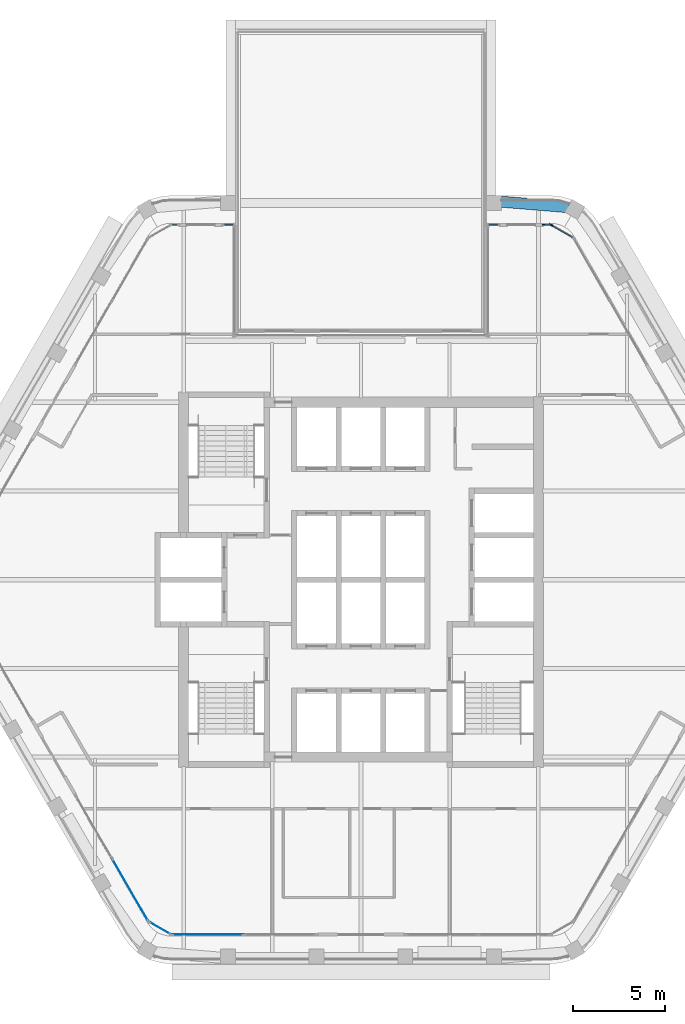
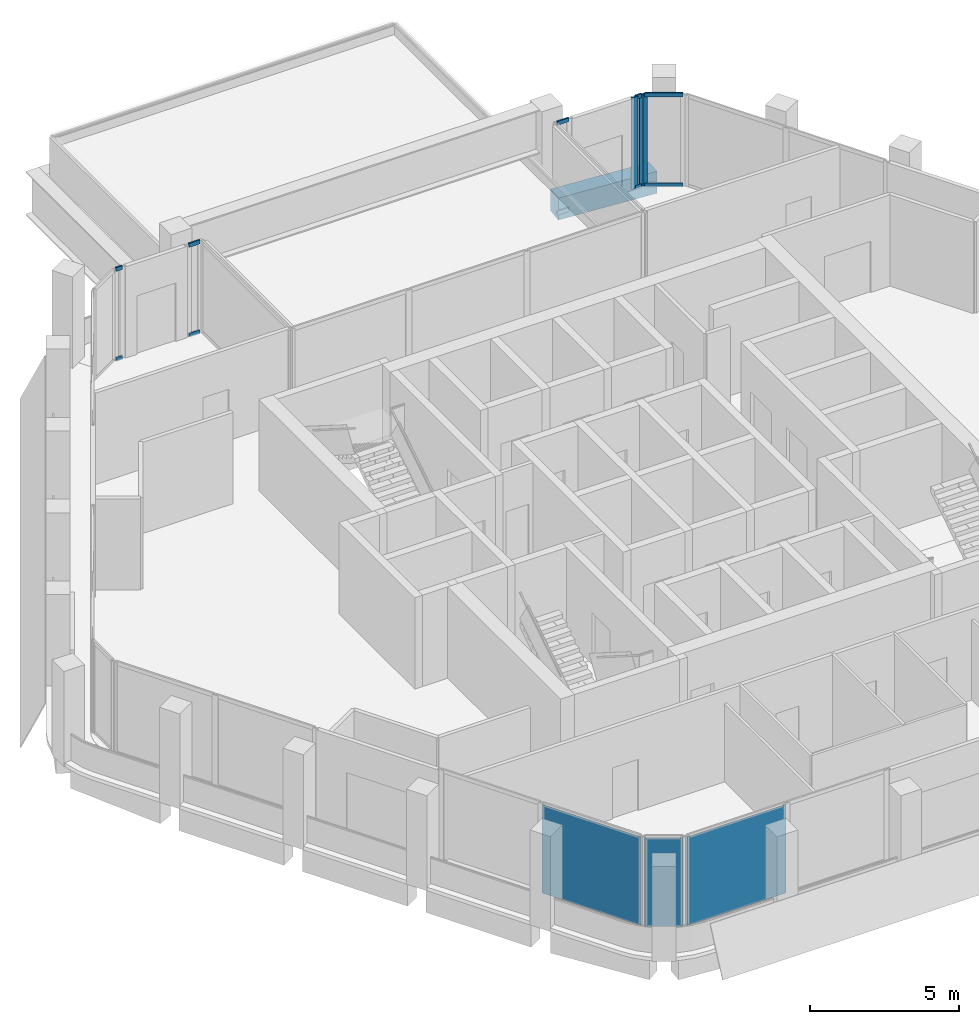
# One storey, part 6 of 16: 13 members, 3 plates, 1 beam, 8 elements without a shape of their own.
"""IFC4 building model written with IfcOpenShell, lengths in metres."""

from ifc_helpers import new_model, si_unit, direction, frame, origin, origin_2d, place, context, subcontext, project, spatial, rectangle, extrude, material, layer, layer_set, material_profile, profile_set, type_object, element, aggregate, save


model = new_model("IFC4")

# Units and contexts
model_context = context("Model", 3, precision=1e-05, world=origin(), true_north=direction((0.0, 1.0)))
body_context = subcontext(model_context, "Body", "Model", "MODEL_VIEW")
ifc_project = project(units=[si_unit("LENGTHUNIT", "METRE"), si_unit("AREAUNIT", "SQUARE_METRE"), si_unit("VOLUMEUNIT", "CUBIC_METRE"), si_unit("PLANEANGLEUNIT", "RADIAN"), si_unit("MASSUNIT", "GRAM", prefix="KILO")], contexts=[model_context])

# Site, building, storey
site_placement = place(None, origin())
site = spatial("IfcSite", under=ifc_project, at=site_placement, CompositionType="ELEMENT")
building_placement = place(site_placement, origin())
building = spatial("IfcBuilding", under=site, at=building_placement, Name="Kolab Exchange Tower", CompositionType="ELEMENT")
storey_placement = place(building_placement, frame((0.0, 0.0, 269.60009765625)))
storey = spatial("IfcBuildingStorey", under=building, at=storey_placement, Name="L60", CompositionType="ELEMENT", Elevation=269.60009765625)

# Beam
ifc_material_1 = material(Name="Concrete C50/60", Category="concrete")
ifc_material_profile_1 = material_profile(ifc_material_1, rectangle(XDim=0.60009765625, YDim=0.89990234375, at=origin_2d()), Name="RC600X900")
ifc_profile_set_1 = profile_set([ifc_material_profile_1], Name="Concrete C50/60")
beam_type = type_object("IfcBeamType", Name="SPANDREL BEAM 600X900 C50/60", PredefinedType="BEAM", material=ifc_profile_set_1)
beam_placement = place(storey_placement, frame((7.56005859375, 20.455078125, -0.60009765625), z_axis=(0.996666751878, -0.081580547323, 0.0), x_axis=(0.081580547323, 0.996666751878, 0.0)))
element("IfcBeam", 1, at=beam_placement, inside=storey, type_object=beam_type, Name="beam/L60/sp/F1-05", PredefinedType="BEAM", context=body_context, shape_type="SweptSolid", body=[
    extrude(rectangle(XDim=0.60009765625, YDim=0.89990234375, at=origin_2d()), origin(), (0.0, 0.0, 1.0), 3.6689453125),
])

# Curtain wall, members
ifc_material_2 = material(Name="Aluminium EN AW-6063 T6", Category="aluminium")
curtain_wall_type = type_object("IfcCurtainWallType", Name="UNITISED HIGH ZONE CURTAIN WALL", PredefinedType="NOTDEFINED", material=ifc_material_2)
curtain_wall_1_placement = place(storey_placement, origin())
curtain_wall_1 = element("IfcCurtainWall", 2, at=curtain_wall_1_placement, inside=storey, type_object=curtain_wall_type, Name="cw/L60/F1-r-2", PredefinedType="NOTDEFINED")
ifc_material_profile_2 = material_profile(ifc_material_2, rectangle(XDim=0.06005859375, YDim=0.239990234375, at=origin_2d()), Name="RECT 60X240")
ifc_profile_set_2 = profile_set([ifc_material_profile_2], Name="Aluminium EN AW-6063 T6")
member_type_1 = type_object("IfcMemberType", Name="UNITISED HIGH ZONE MULLION 60 X 240", PredefinedType="MULLION", material=ifc_profile_set_2)
member_1_placement = place(storey_placement, frame((9.93994140625, 19.20458984375, 0.0), z_axis=(0.0, 0.0, 1.0), x_axis=(0.0, 1.0, 0.0)))
member_1 = element("IfcMember", 3, at=member_1_placement, type_object=member_type_1, Name="CW4 mullion 1", PredefinedType="MULLION", context=body_context, shape_type="SweptSolid", body=[
    extrude(rectangle(XDim=0.06005859375, YDim=0.239990234375, at=origin_2d()), origin(), (0.0, 0.0, 1.0), 3.75),
])
member_2_placement = place(storey_placement, frame((10.238037109375, 19.20458984375, 0.0), z_axis=(0.0, 0.0, 1.0), x_axis=(0.0, 1.0, 0.0)))
member_2 = element("IfcMember", 4, at=member_2_placement, type_object=member_type_1, Name="CW4 mullion 2", PredefinedType="MULLION", context=body_context, shape_type="SweptSolid", body=[
    extrude(rectangle(XDim=0.06005859375, YDim=0.239990234375, at=origin_2d()), origin(), (0.0, 0.0, 1.0), 3.75),
])

# Curtain wall, member
curtain_wall_2_placement = place(storey_placement, origin())
curtain_wall_2 = element("IfcCurtainWall", 5, at=curtain_wall_2_placement, inside=storey, type_object=curtain_wall_type, Name="cw/L60/F1F2-corner", PredefinedType="NOTDEFINED")
member_3_placement = place(storey_placement, frame((10.2939453125, 19.189697265625, 0.0), z_axis=(0.0, 0.0, 1.0), x_axis=(0.50000002237, 0.866025390869, 0.0)))
member_3 = element("IfcMember", 6, at=member_3_placement, type_object=member_type_1, Name="CW4 mullion 1", PredefinedType="MULLION", context=body_context, shape_type="SweptSolid", body=[
    extrude(rectangle(XDim=0.06005859375, YDim=0.239990234375, at=origin_2d()), origin(), (0.0, 0.0, 1.0), 3.75),
])

# Curtain wall, members
curtain_wall_3_placement = place(storey_placement, origin())
curtain_wall_3 = element("IfcCurtainWall", 7, at=curtain_wall_3_placement, inside=storey, type_object=curtain_wall_type, Name="cw/L60/F1-l-1", PredefinedType="NOTDEFINED")
ifc_material_profile_3 = material_profile(ifc_material_2, rectangle(XDim=0.06005859375, YDim=0.159912109375, at=origin_2d()), Name="RECT 60X160")
ifc_profile_set_3 = profile_set([ifc_material_profile_3], Name="Aluminium EN AW-6063 T6")
member_type_2 = type_object("IfcMemberType", Name="UNITISED HIGH ZONE TRANSOM 60 X 160", PredefinedType="USERDEFINED", material=ifc_profile_set_3)
member_4_placement = place(storey_placement, frame((-10.2080078125, 19.20458984375, 0.02978515625), z_axis=(1.0, 0.0, 0.0), x_axis=(0.0, 1.0, 0.0)))
member_4 = element("IfcMember", 8, at=member_4_placement, type_object=member_type_2, Name="CW4 transom 1.1", ObjectType="TRANSOM", PredefinedType="USERDEFINED", context=body_context, shape_type="SweptSolid", body=[
    extrude(rectangle(XDim=0.06005859375, YDim=0.159912109375, at=origin_2d()), origin(), (0.0, 0.0, 1.0), 0.25),
])
member_5_placement = place(storey_placement, frame((-10.2080078125, 19.20458984375, 3.719970703125), z_axis=(1.0, 0.0, 0.0), x_axis=(0.0, 1.0, 0.0)))
member_5 = element("IfcMember", 9, at=member_5_placement, type_object=member_type_2, Name="CW4 transom 1.2", ObjectType="TRANSOM", PredefinedType="USERDEFINED", context=body_context, shape_type="SweptSolid", body=[
    extrude(rectangle(XDim=0.06005859375, YDim=0.159912109375, at=origin_2d()), origin(), (0.0, 0.0, 1.0), 0.25),
])
aggregate(curtain_wall_3, [member_4, member_5])

curtain_wall_4_placement = place(storey_placement, origin())
curtain_wall_4 = element("IfcCurtainWall", 10, at=curtain_wall_4_placement, inside=storey, type_object=curtain_wall_type, Name="cw/L60/F1-l-2", PredefinedType="NOTDEFINED")
member_6_placement = place(storey_placement, frame((-7.3779296875, 19.20458984375, 0.02978515625), z_axis=(1.0, 0.0, 0.0), x_axis=(0.0, 1.0, 0.0)))
member_6 = element("IfcMember", 11, at=member_6_placement, type_object=member_type_2, Name="CW4 transom 1.1", ObjectType="TRANSOM", PredefinedType="USERDEFINED", context=body_context, shape_type="SweptSolid", body=[
    extrude(rectangle(XDim=0.06005859375, YDim=0.159912109375, at=origin_2d()), origin(), (0.0, 0.0, 1.0), 0.43798828125),
])
member_7_placement = place(storey_placement, frame((-7.3779296875, 19.20458984375, 3.719970703125), z_axis=(1.0, 0.0, 0.0), x_axis=(0.0, 1.0, 0.0)))
member_7 = element("IfcMember", 12, at=member_7_placement, type_object=member_type_2, Name="CW4 transom 1.2", ObjectType="TRANSOM", PredefinedType="USERDEFINED", context=body_context, shape_type="SweptSolid", body=[
    extrude(rectangle(XDim=0.06005859375, YDim=0.159912109375, at=origin_2d()), origin(), (0.0, 0.0, 1.0), 0.43798828125),
])
aggregate(curtain_wall_4, [member_6, member_7])

curtain_wall_5_placement = place(storey_placement, origin())
curtain_wall_5 = element("IfcCurtainWall", 13, at=curtain_wall_5_placement, inside=storey, type_object=curtain_wall_type, Name="cw/L60/F1-r-1", PredefinedType="NOTDEFINED")
member_8_placement = place(storey_placement, frame((6.93994140625, 19.20458984375, 0.02978515625), z_axis=(1.0, 0.0, 0.0), x_axis=(0.0, 1.0, 0.0)))
member_8 = element("IfcMember", 14, at=member_8_placement, type_object=member_type_2, Name="CW4 transom 1.1", ObjectType="TRANSOM", PredefinedType="USERDEFINED", context=body_context, shape_type="SweptSolid", body=[
    extrude(rectangle(XDim=0.06005859375, YDim=0.159912109375, at=origin_2d()), origin(), (0.0, 0.0, 1.0), 0.449951171875),
])
member_9_placement = place(storey_placement, frame((6.93994140625, 19.20458984375, 3.719970703125), z_axis=(1.0, 0.0, 0.0), x_axis=(0.0, 1.0, 0.0)))
member_9 = element("IfcMember", 15, at=member_9_placement, type_object=member_type_2, Name="CW4 transom 1.2", ObjectType="TRANSOM", PredefinedType="USERDEFINED", context=body_context, shape_type="SweptSolid", body=[
    extrude(rectangle(XDim=0.06005859375, YDim=0.159912109375, at=origin_2d()), origin(), (0.0, 0.0, 1.0), 0.449951171875),
])
aggregate(curtain_wall_5, [member_8, member_9])

# Member
member_10_placement = place(storey_placement, frame((9.969970703125, 19.20458984375, 0.02978515625), z_axis=(1.0, 0.0, 0.0), x_axis=(0.0, 1.0, 0.0)))
member_10 = element("IfcMember", 16, at=member_10_placement, type_object=member_type_2, Name="CW4 transom 1.1", ObjectType="TRANSOM", PredefinedType="USERDEFINED", context=body_context, shape_type="SweptSolid", body=[
    extrude(rectangle(XDim=0.06005859375, YDim=0.159912109375, at=origin_2d()), origin(), (0.0, 0.0, 1.0), 0.238037109375),
])

member_11_placement = place(storey_placement, frame((9.969970703125, 19.20458984375, 3.719970703125), z_axis=(1.0, 0.0, 0.0), x_axis=(0.0, 1.0, 0.0)))
member_11 = element("IfcMember", 17, at=member_11_placement, type_object=member_type_2, Name="CW4 transom 1.2", ObjectType="TRANSOM", PredefinedType="USERDEFINED", context=body_context, shape_type="SweptSolid", body=[
    extrude(rectangle(XDim=0.06005859375, YDim=0.159912109375, at=origin_2d()), origin(), (0.0, 0.0, 1.0), 0.238037109375),
])

aggregate(curtain_wall_1, [member_1, member_2, member_10, member_11])

member_12_placement = place(storey_placement, frame((10.31982421875, 19.174560546875, 0.02978515625), z_axis=(0.866085525409, -0.49989585183, 0.0), x_axis=(0.49989585183, 0.866085525409, 0.0)))
member_12 = element("IfcMember", 18, at=member_12_placement, type_object=member_type_2, Name="CW4 transom 1.1", ObjectType="TRANSOM", PredefinedType="USERDEFINED", context=body_context, shape_type="SweptSolid", body=[
    extrude(rectangle(XDim=0.06005859375, YDim=0.159912109375, at=origin_2d()), origin(), (0.0, 0.0, 1.0), 1.300048828125),
])

member_13_placement = place(storey_placement, frame((10.31982421875, 19.174560546875, 3.719970703125), z_axis=(0.866085525409, -0.49989585183, 0.0), x_axis=(0.49989585183, 0.866085525409, 0.0)))
member_13 = element("IfcMember", 19, at=member_13_placement, type_object=member_type_2, Name="CW4 transom 1.2", ObjectType="TRANSOM", PredefinedType="USERDEFINED", context=body_context, shape_type="SweptSolid", body=[
    extrude(rectangle(XDim=0.06005859375, YDim=0.159912109375, at=origin_2d()), origin(), (0.0, 0.0, 1.0), 1.300048828125),
])

aggregate(curtain_wall_2, [member_3, member_12, member_13])

# Curtain wall, plate
curtain_wall_6_placement = place(storey_placement, origin())
curtain_wall_6 = element("IfcCurtainWall", 20, at=curtain_wall_6_placement, inside=storey, type_object=curtain_wall_type, Name="cw/L60/F4-2", PredefinedType="NOTDEFINED")
ifc_material_3 = material(Name="Clear insulated glazing unit", Category="glass")
ifc_layer = layer(ifc_material_3, 0.030029296875)
ifc_layer_set = layer_set([ifc_layer], Name="Clear insulated glazing unit")
plate_type = type_object("IfcPlateType", Name="UNITISED HIGH ZONE GLASS PANEL 30", PredefinedType="CURTAIN_PANEL", material=ifc_layer_set)
plate_1_placement = place(storey_placement, frame((-8.285888671875, -19.20458984375, 0.06005859375), z_axis=(0.0, 0.0, 1.0), x_axis=(-1.0, 0.0, 0.0)))
plate_1 = element("IfcPlate", 21, at=plate_1_placement, type_object=plate_type, Name="CW4 panel 2.1", PredefinedType="CURTAIN_PANEL", context=body_context, shape_type="SweptSolid", body=[
    extrude(rectangle(XDim=3.843994140625, YDim=0.030029296875, at=origin_2d()), origin(), (0.0, 0.0, 1.0), 3.6298828125),
])
aggregate(curtain_wall_6, [plate_1])

curtain_wall_7_placement = place(storey_placement, origin())
curtain_wall_7 = element("IfcCurtainWall", 22, at=curtain_wall_7_placement, inside=storey, type_object=curtain_wall_type, Name="cw/L60/F5-1", PredefinedType="NOTDEFINED")
plate_2_placement = place(storey_placement, frame((-12.48876953125, -16.778076171875, 0.06005859375), z_axis=(0.0, 0.0, 1.0), x_axis=(-0.500000031681, 0.866025385493, 0.0)))
plate_2 = element("IfcPlate", 23, at=plate_2_placement, type_object=plate_type, Name="CW4 panel 1.1", PredefinedType="CURTAIN_PANEL", context=body_context, shape_type="SweptSolid", body=[
    extrude(rectangle(XDim=3.843994140625, YDim=0.030029296875, at=origin_2d()), origin(), (0.0, 0.0, 1.0), 3.6298828125),
])
aggregate(curtain_wall_7, [plate_2])

curtain_wall_8_placement = place(storey_placement, origin())
curtain_wall_8 = element("IfcCurtainWall", 24, at=curtain_wall_8_placement, inside=storey, type_object=curtain_wall_type, Name="cw/L60/F4F5-corner", PredefinedType="NOTDEFINED")
plate_3_placement = place(storey_placement, frame((-10.8828125, -18.849609375, 0.06005859375), z_axis=(0.0, 0.0, 1.0), x_axis=(-0.866025390869, 0.50000002237, 0.0)))
plate_3 = element("IfcPlate", 25, at=plate_3_placement, type_object=plate_type, Name="CW4 panel 1.1", PredefinedType="CURTAIN_PANEL", context=body_context, shape_type="SweptSolid", body=[
    extrude(rectangle(XDim=1.300048828125, YDim=0.030029296875, at=origin_2d()), origin(), (0.0, 0.0, 1.0), 3.6298828125),
])
aggregate(curtain_wall_8, [plate_3])

save(model, "model.ifc")
